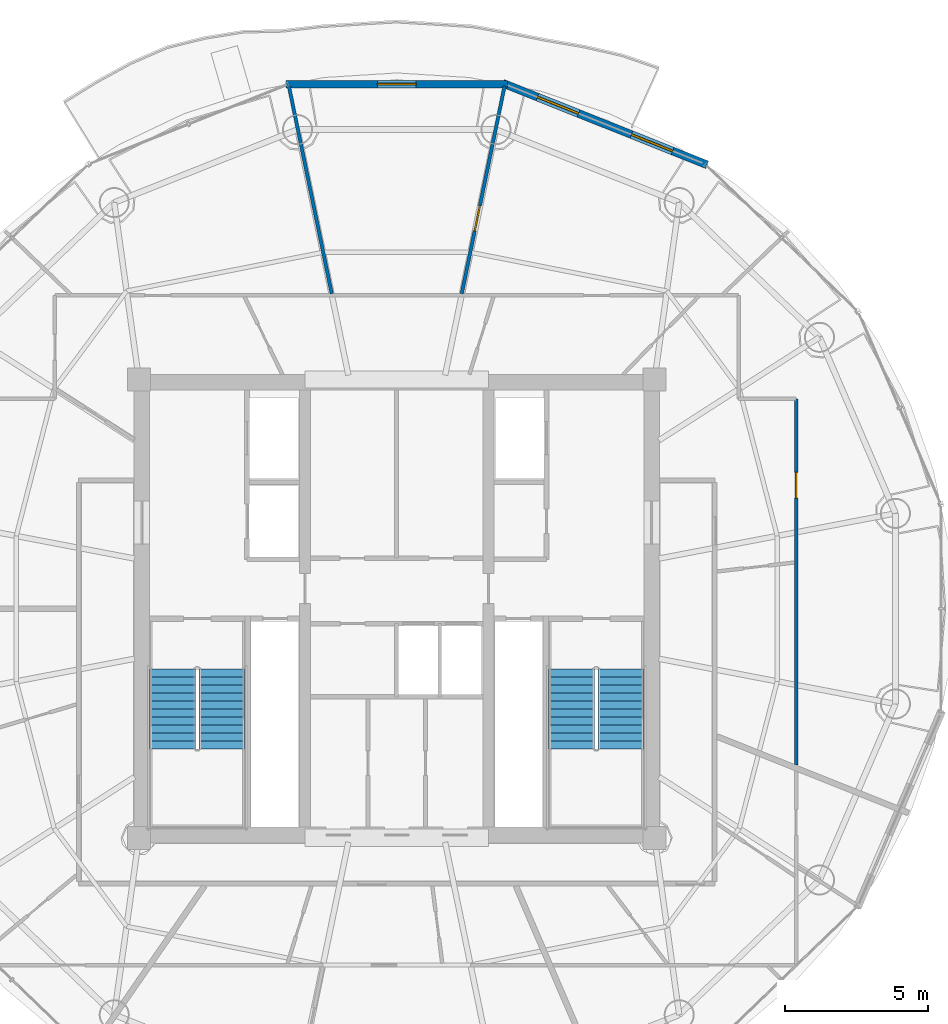
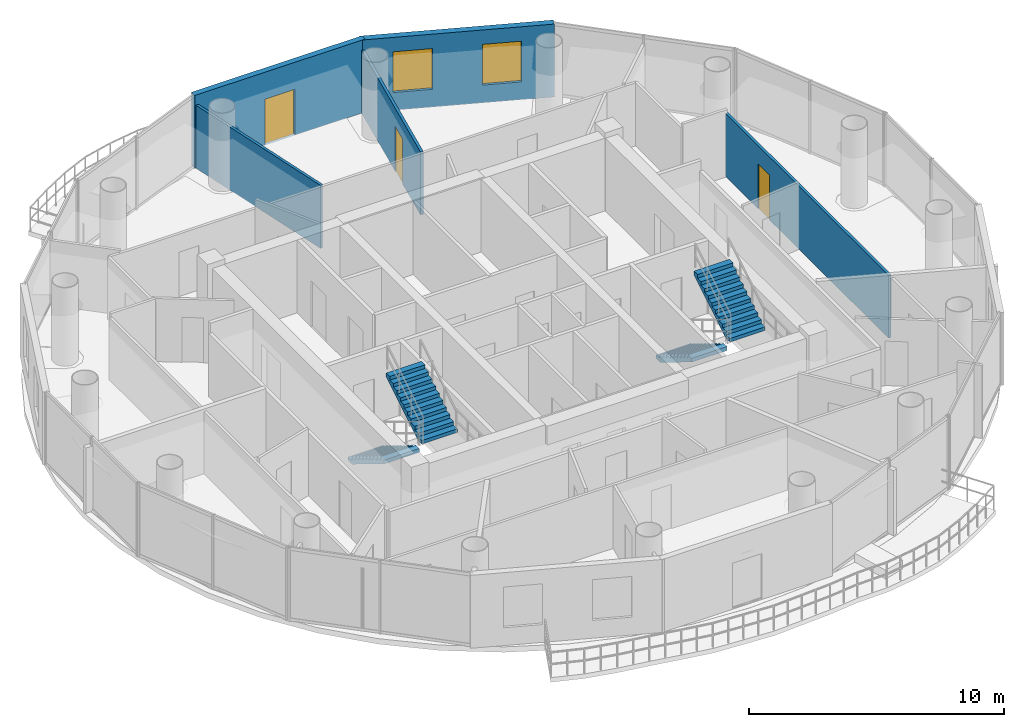
# One storey, part 21 of 24: 5 walls, 4 stair flights, 3 doors, 2 windows, 5 openings, 2 elements without a shape of their own.
"""IFC4 building model written with IfcOpenShell, lengths in metres."""

from ifc_helpers import new_model, si_unit, direction, frame, frame_2d, origin, place, context, subcontext, project, spatial, polyline, rectangle, outline, extrude, source, transform, mapped, material, layer, layer_set, type_object, element, fill, aggregate, save


model = new_model("IFC4")

# Units and contexts
model_context = context("Model", 3, precision=1e-05, world=origin(), true_north=direction((-0.2419218956, 0.970295726276)))
body_context = subcontext(model_context, "Body", "Model", "MODEL_VIEW")
ifc_project = project(units=[si_unit("LENGTHUNIT", "METRE"), si_unit("AREAUNIT", "SQUARE_METRE"), si_unit("VOLUMEUNIT", "CUBIC_METRE"), si_unit("PLANEANGLEUNIT", "RADIAN"), si_unit("MASSUNIT", "GRAM", prefix="KILO")], contexts=[model_context])

# Site, building, storey
site_placement = place(None, origin())
site = spatial("IfcSite", under=ifc_project, at=site_placement, CompositionType="ELEMENT")
building_placement = place(site_placement, origin())
building = spatial("IfcBuilding", under=site, at=building_placement, Name="Cobrevalo Terracotta Tower", CompositionType="ELEMENT")
storey_placement = place(building_placement, frame((0.0, 0.0, 274.449951171875)))
storey = spatial("IfcBuildingStorey", under=building, at=storey_placement, Name="L72", CompositionType="ELEMENT", Elevation=274.449951171875)

# Wall, openings, windows
ifc_material_1 = material(Name="Autoclaved aerated concrete block", Category="concrete")
ifc_layer_1 = layer(ifc_material_1, 0.280029296875)
ifc_layer_set_1 = layer_set([ifc_layer_1], Name="Autoclaved aerated concrete block")
wall_type_1 = type_object("IfcWallType", Name="Insulated tower spandrel & pier wall 280 mm with terracotta rainscreen", PredefinedType="SOLIDWALL", material=ifc_layer_set_1)
wall_1_placement = place(storey_placement, frame((48.835693359375, 42.2939453125, 0.0), z_axis=(0.0, 0.0, 1.0), x_axis=(-0.928724272392, 0.370771123296, 0.0)))
wall_1 = element("IfcWall", 1, at=wall_1_placement, inside=storey, type_object=wall_type_1, Name="L72 terracotta rainscreen pier wall S03", PredefinedType="SOLIDWALL", context=body_context, shape_type="SweptSolid", body=[
    extrude(rectangle(XDim=7.678466796875, YDim=0.280029296875, at=frame_2d((3.83935546875, 0.0))), origin(), (0.0, 0.0, 1.0), 3.489990234375),
])
opening_1_placement = place(wall_1_placement, frame((1.298095703125, 0.0, 0.85009765625)))
opening_1 = element("IfcOpeningElement", 2, at=opening_1_placement, cuts=wall_1, Name="Opening WN-12", PredefinedType="OPENING", context=body_context, shape_type="SweptSolid", body=[
    extrude(rectangle(XDim=1.550048828125, YDim=1.949951171875, at=frame_2d((0.77490234375, 0.97509765625))), frame((0.0, 0.14990234375, 0.0), z_axis=(0.0, -1.0, 0.0), x_axis=(1.0, 0.0, 0.0)), (0.0, 0.0, 1.0), 0.300048828125),
])
opening_2_placement = place(wall_1_placement, frame((4.830078125, 0.0, 0.85009765625)))
opening_2 = element("IfcOpeningElement", 3, at=opening_2_placement, cuts=wall_1, Name="Opening WN-12", PredefinedType="OPENING", context=body_context, shape_type="SweptSolid", body=[
    extrude(rectangle(XDim=1.550048828125, YDim=1.949951171875, at=frame_2d((0.77490234375, 0.97509765625))), frame((0.0, 0.14990234375, 0.0), z_axis=(0.0, -1.0, 0.0), x_axis=(1.0, 0.0, 0.0)), (0.0, 0.0, 1.0), 0.300048828125),
])
ifc_material_2 = material(Name="Solar-control low-E double glazing", Category="glass")
window_type = type_object("IfcWindowType", Name="Solar-control low-E aluminium window 1550x1950", PartitioningType="SINGLE_PANEL", PredefinedType="WINDOW", material=ifc_material_2)
shared_shape_1 = source(origin(), body_context, "Body", "SweptSolid", [
    extrude(rectangle(XDim=1.550048828125, YDim=1.949951171875, at=frame_2d((0.77490234375, 0.97509765625))), frame((0.0, 0.030029296875, 0.0), z_axis=(0.0, -1.0, 0.0), x_axis=(1.0, 0.0, 0.0)), (0.0, 0.0, 1.0), 0.06005859375),
])
window_1_placement = place(opening_1_placement, origin())
window_1 = element("IfcWindow", 4, at=window_1_placement, inside=storey, type_object=window_type, Name="L72 suite window S03A", OverallHeight=1.949951171875, OverallWidth=1.550048828125, PartitioningType="SINGLE_PANEL", PredefinedType="WINDOW", context=body_context, shape_type="MappedRepresentation", body=[
    mapped(shared_shape_1, transform((0.0, 0.0, 0.0), scale=1.0)),
])
fill(opening_1, window_1)
window_2_placement = place(opening_2_placement, origin())
window_2 = element("IfcWindow", 5, at=window_2_placement, inside=storey, type_object=window_type, Name="L72 suite window S03B", OverallHeight=1.949951171875, OverallWidth=1.550048828125, PartitioningType="SINGLE_PANEL", PredefinedType="WINDOW", context=body_context, shape_type="MappedRepresentation", body=[
    mapped(shared_shape_1, transform((0.0, 0.0, 0.0), scale=1.0)),
])
fill(opening_2, window_2)

# Wall, opening, door
ifc_layer_2 = layer(ifc_material_1, 0.260009765625)
ifc_layer_set_2 = layer_set([ifc_layer_2], Name="Autoclaved aerated concrete block")
wall_type_2 = type_object("IfcWallType", Name="Recessed balcony loggia insulated exterior wall 260 mm", PredefinedType="SOLIDWALL", material=ifc_layer_set_2)
wall_2_placement = place(storey_placement, frame((41.85888671875, 45.111328125, 0.0), z_axis=(0.0, 0.0, 1.0), x_axis=(-1.0, 0.0, 0.0)))
wall_2 = element("IfcWall", 6, at=wall_2_placement, inside=storey, type_object=wall_type_2, Name="L72 balcony loggia wall S04", PredefinedType="SOLIDWALL", context=body_context, shape_type="SweptSolid", body=[
    extrude(rectangle(XDim=7.7177734375, YDim=0.260009765625, at=frame_2d((3.85888671875, 0.0))), origin(), (0.0, 0.0, 1.0), 3.489990234375),
])
opening_3_placement = place(wall_2_placement, frame((3.183837890625, 0.0, 0.0)))
opening_3 = element("IfcOpeningElement", 7, at=opening_3_placement, cuts=wall_2, Name="Opening ED-05", PredefinedType="OPENING", context=body_context, shape_type="SweptSolid", body=[
    extrude(rectangle(XDim=1.35009765625, YDim=2.199951171875, at=frame_2d((0.675048828125, 1.10009765625))), frame((0.0, 0.14013671875, 0.0), z_axis=(0.0, -1.0, 0.0), x_axis=(1.0, 0.0, 0.0)), (0.0, 0.0, 1.0), 0.280029296875),
])
ifc_material_3 = material(Name="Anodized aluminium and laminated glass", Category="aluminium")
door_type_1 = type_object("IfcDoorType", Name="Suite balcony acoustic glazed terrace door 1350x2200", OperationType="NOTDEFINED", PredefinedType="DOOR", material=ifc_material_3)
shared_shape_2 = source(origin(), body_context, "Body", "SweptSolid", [
    extrude(rectangle(XDim=1.35009765625, YDim=2.199951171875, at=frame_2d((0.675048828125, 1.10009765625))), frame((0.0, 0.02490234375, 0.0), z_axis=(0.0, -1.0, 0.0), x_axis=(1.0, 0.0, 0.0)), (0.0, 0.0, 1.0), 0.050048828125),
])
door_1_placement = place(opening_3_placement, frame((1.35009765625, 0.0, 0.0), z_axis=(0.0, 0.0, 1.0), x_axis=(-1.0, 0.0, 0.0)))
door_1 = element("IfcDoor", 8, at=door_1_placement, inside=storey, type_object=door_type_1, Name="L72 glazed balcony terrace door 1", OperationType="SINGLE_SWING_LEFT", OverallHeight=2.199951171875, OverallWidth=1.35009765625, PredefinedType="DOOR", context=body_context, shape_type="MappedRepresentation", body=[
    mapped(shared_shape_2, transform((0.0, 0.0, 0.0), scale=1.0)),
])
fill(opening_3, door_1)

ifc_material_4 = material(Name="Gypsum board on steel stud", Category="steel")
ifc_layer_3 = layer(ifc_material_4, 0.1201171875)
ifc_layer_set_3 = layer_set([ifc_layer_3], Name="Gypsum board on steel stud")
wall_type_3 = type_object("IfcWallType", Name="Residential internal acoustic stud partition 120 mm", PredefinedType="PARTITIONING", material=ifc_layer_set_3)
wall_3_placement = place(storey_placement, frame((51.945068359375, 34.1201171875, 0.0), z_axis=(0.0, 0.0, 1.0), x_axis=(0.0, -1.0, 0.0)))
wall_3 = element("IfcWall", 9, at=wall_3_placement, inside=storey, type_object=wall_type_3, Name="L72 interior partition IW-L72-U1-RING6_0", PredefinedType="PARTITIONING", context=body_context, shape_type="SweptSolid", body=[
    extrude(rectangle(XDim=12.785888671875, YDim=0.1201171875, at=frame_2d((6.39306640625, 0.0))), origin(), (0.0, 0.0, 1.0), 3.01513671875),
])
opening_4_placement = place(wall_3_placement, frame((2.56201171875, 0.0, 0.0)))
opening_4 = element("IfcOpeningElement", 10, at=opening_4_placement, cuts=wall_3, Name="Opening ID-12", PredefinedType="OPENING", context=body_context, shape_type="SweptSolid", body=[
    extrude(rectangle(XDim=0.89990234375, YDim=2.14990234375, at=frame_2d((0.449951171875, 1.074951171875))), frame((0.0, 0.070068359375, 0.0), z_axis=(0.0, -1.0, 0.0), x_axis=(1.0, 0.0, 0.0)), (0.0, 0.0, 1.0), 0.14013671875),
])
ifc_material_5 = material(Name="Engineered timber", Category="wood")
door_type_2 = type_object("IfcDoorType", Name="Internal residence & suite timber door 900x2150", OperationType="NOTDEFINED", PredefinedType="DOOR", material=ifc_material_5)
shared_shape_3 = source(origin(), body_context, "Body", "SweptSolid", [
    extrude(rectangle(XDim=0.89990234375, YDim=2.14990234375, at=frame_2d((0.449951171875, 1.074951171875))), frame((0.0, 0.02490234375, 0.0), z_axis=(0.0, -1.0, 0.0), x_axis=(1.0, 0.0, 0.0)), (0.0, 0.0, 1.0), 0.050048828125),
])
door_2_placement = place(opening_4_placement, origin())
door_2 = element("IfcDoor", 11, at=door_2_placement, inside=storey, type_object=door_type_2, Name="Flat L72A Living and Dining Room internal door", OperationType="SINGLE_SWING_LEFT", OverallHeight=2.14990234375, OverallWidth=0.89990234375, PredefinedType="DOOR", context=body_context, shape_type="MappedRepresentation", body=[
    mapped(shared_shape_3, transform((0.0, 0.0, 0.0), scale=1.0)),
])
fill(opening_4, door_2)

wall_4_placement = place(storey_placement, frame((40.26904296875, 37.795654296875, 0.0), z_axis=(0.0, 0.0, 1.0), x_axis=(0.202101574245, 0.979364566281, 0.0)))
wall_4 = element("IfcWall", 12, at=wall_4_placement, inside=storey, type_object=wall_type_3, Name="L72 interior partition IW-L72-U1-ORAD2", PredefinedType="PARTITIONING", context=body_context, shape_type="SweptSolid", body=[
    extrude(rectangle(XDim=7.400146484375, YDim=0.1201171875, at=frame_2d((3.7001953125, 0.0))), origin(), (0.0, 0.0, 1.0), 3.01513671875),
])
opening_5_placement = place(wall_4_placement, frame((2.236083984375, 0.0, 0.0)))
opening_5 = element("IfcOpeningElement", 13, at=opening_5_placement, cuts=wall_4, Name="Opening ID-12", PredefinedType="OPENING", context=body_context, shape_type="SweptSolid", body=[
    extrude(rectangle(XDim=0.89990234375, YDim=2.14990234375, at=frame_2d((0.449951171875, 1.074951171875))), frame((0.0, 0.070068359375, 0.0), z_axis=(0.0, -1.0, 0.0), x_axis=(1.0, 0.0, 0.0)), (0.0, 0.0, 1.0), 0.14013671875),
])
door_3_placement = place(opening_5_placement, origin())
door_3 = element("IfcDoor", 14, at=door_3_placement, inside=storey, type_object=door_type_2, Name="Flat L72A Principal Guest Bedroom internal door", OperationType="SINGLE_SWING_LEFT", OverallHeight=2.14990234375, OverallWidth=0.89990234375, PredefinedType="DOOR", context=body_context, shape_type="MappedRepresentation", body=[
    mapped(shared_shape_3, transform((0.0, 0.0, 0.0), scale=1.0)),
])
fill(opening_5, door_3)

# Wall
wall_5_placement = place(storey_placement, frame((35.73095703125, 37.795654296875, 0.0), z_axis=(0.0, 0.0, 1.0), x_axis=(-0.202101574245, 0.979364566281, 0.0)))
element("IfcWall", 15, at=wall_5_placement, inside=storey, type_object=wall_type_3, Name="L72 interior partition IW-L72-U1-ORAD3M1", PredefinedType="PARTITIONING", context=body_context, shape_type="SweptSolid", body=[
    extrude(rectangle(XDim=7.400146484375, YDim=0.1201171875, at=frame_2d((3.7001953125, 0.0))), origin(), (0.0, 0.0, 1.0), 3.01513671875),
])

# Stair, stair flights
ifc_material_6 = material(Name="Concrete C50", Category="concrete")
stair_type = type_object("IfcStairType", Name="Core protected escape dogleg stair 1600", PredefinedType="HALF_TURN_STAIR", material=ifc_material_6)
stair_1_placement = place(storey_placement, origin())
stair_1 = element("IfcStair", 16, at=stair_1_placement, inside=storey, type_object=stair_type, Name="L72 Protected exit stair ST-1", PredefinedType="HALF_TURN_STAIR")
stair_flight_type = type_object("IfcStairFlightType", Name="Core protected escape dogleg stair 1600 flight", PredefinedType="STRAIGHT", material=ifc_material_6)
stair_flight_1_placement = place(storey_placement, frame((30.175048828125, 24.699951171875, 0.0), z_axis=(0.0, 0.0, 1.0), x_axis=(0.0, -1.0, 0.0)))
stair_flight_1 = element("IfcStairFlight", 17, at=stair_flight_1_placement, type_object=stair_flight_type, Name="ST-1 flight 1", NumberOfRisers=11, NumberOfTreads=10, PredefinedType="STRAIGHT", RiserHeight=0.170454545, TreadLength=0.28, context=body_context, shape_type="SweptSolid", body=[
    extrude(outline(polyline([(0.0, 0.0), (0.0, 0.17041015625), (0.280029296875, 0.17041015625), (0.280029296875, 0.3408203125), (0.56005859375, 0.3408203125), (0.56005859375, 0.511474609375), (0.840087890625, 0.511474609375), (0.840087890625, 0.681884765625), (1.1201171875, 0.681884765625), (1.1201171875, 0.852294921875), (1.39990234375, 0.852294921875), (1.39990234375, 1.022705078125), (1.679931640625, 1.022705078125), (1.679931640625, 1.193115234375), (1.9599609375, 1.193115234375), (1.9599609375, 1.363525390625), (2.239990234375, 1.363525390625), (2.239990234375, 1.5341796875), (2.52001953125, 1.5341796875), (2.52001953125, 1.70458984375), (2.800048828125, 1.70458984375), (2.800048828125, 1.875), (2.800048828125, 1.517333984375), (0.3076171875, 0.0), (0.0, 0.0)])), frame((0.0, 0.800048828125, 0.0), z_axis=(0.0, -1.0, 0.0), x_axis=(1.0, 0.0, 0.0)), (0.0, 0.0, 1.0), 1.60009765625),
])
stair_flight_2_placement = place(storey_placement, frame((31.89501953125, 21.89990234375, 1.875), z_axis=(0.0, 0.0, 1.0), x_axis=(0.0, 1.0, 0.0)))
stair_flight_2 = element("IfcStairFlight", 18, at=stair_flight_2_placement, type_object=stair_flight_type, Name="ST-1 flight 2", NumberOfRisers=11, NumberOfTreads=10, PredefinedType="STRAIGHT", RiserHeight=0.170454545, TreadLength=0.28, context=body_context, shape_type="SweptSolid", body=[
    extrude(outline(polyline([(0.0, 0.0), (0.0, 0.17041015625), (0.280029296875, 0.17041015625), (0.280029296875, 0.3408203125), (0.56005859375, 0.3408203125), (0.56005859375, 0.511474609375), (0.840087890625, 0.511474609375), (0.840087890625, 0.681884765625), (1.1201171875, 0.681884765625), (1.1201171875, 0.852294921875), (1.39990234375, 0.852294921875), (1.39990234375, 1.022705078125), (1.679931640625, 1.022705078125), (1.679931640625, 1.193115234375), (1.9599609375, 1.193115234375), (1.9599609375, 1.363525390625), (2.239990234375, 1.363525390625), (2.239990234375, 1.5341796875), (2.52001953125, 1.5341796875), (2.52001953125, 1.70458984375), (2.800048828125, 1.70458984375), (2.800048828125, 1.875), (2.800048828125, 1.517333984375), (0.3076171875, 0.0), (0.0, 0.0)])), frame((0.0, 0.800048828125, 0.0), z_axis=(0.0, -1.0, 0.0), x_axis=(1.0, 0.0, 0.0)), (0.0, 0.0, 1.0), 1.60009765625),
])
aggregate(stair_1, [stair_flight_1, stair_flight_2])

stair_2_placement = place(storey_placement, origin())
stair_2 = element("IfcStair", 19, at=stair_2_placement, inside=storey, type_object=stair_type, Name="L72 Protected exit stair ST-2", PredefinedType="HALF_TURN_STAIR")
stair_flight_3_placement = place(storey_placement, frame((44.10498046875, 24.699951171875, 0.0), z_axis=(0.0, 0.0, 1.0), x_axis=(0.0, -1.0, 0.0)))
stair_flight_3 = element("IfcStairFlight", 20, at=stair_flight_3_placement, type_object=stair_flight_type, Name="ST-2 flight 1", NumberOfRisers=11, NumberOfTreads=10, PredefinedType="STRAIGHT", RiserHeight=0.170454545, TreadLength=0.28, context=body_context, shape_type="SweptSolid", body=[
    extrude(outline(polyline([(0.0, 0.0), (0.0, 0.17041015625), (0.280029296875, 0.17041015625), (0.280029296875, 0.3408203125), (0.56005859375, 0.3408203125), (0.56005859375, 0.511474609375), (0.840087890625, 0.511474609375), (0.840087890625, 0.681884765625), (1.1201171875, 0.681884765625), (1.1201171875, 0.852294921875), (1.39990234375, 0.852294921875), (1.39990234375, 1.022705078125), (1.679931640625, 1.022705078125), (1.679931640625, 1.193115234375), (1.9599609375, 1.193115234375), (1.9599609375, 1.363525390625), (2.239990234375, 1.363525390625), (2.239990234375, 1.5341796875), (2.52001953125, 1.5341796875), (2.52001953125, 1.70458984375), (2.800048828125, 1.70458984375), (2.800048828125, 1.875), (2.800048828125, 1.517333984375), (0.3076171875, 0.0), (0.0, 0.0)])), frame((0.0, 0.800048828125, 0.0), z_axis=(0.0, -1.0, 0.0), x_axis=(1.0, 0.0, 0.0)), (0.0, 0.0, 1.0), 1.60009765625),
])
stair_flight_4_placement = place(storey_placement, frame((45.824951171875, 21.89990234375, 1.875), z_axis=(0.0, 0.0, 1.0), x_axis=(0.0, 1.0, 0.0)))
stair_flight_4 = element("IfcStairFlight", 21, at=stair_flight_4_placement, type_object=stair_flight_type, Name="ST-2 flight 2", NumberOfRisers=11, NumberOfTreads=10, PredefinedType="STRAIGHT", RiserHeight=0.170454545, TreadLength=0.28, context=body_context, shape_type="SweptSolid", body=[
    extrude(outline(polyline([(0.0, 0.0), (0.0, 0.17041015625), (0.280029296875, 0.17041015625), (0.280029296875, 0.3408203125), (0.56005859375, 0.3408203125), (0.56005859375, 0.511474609375), (0.840087890625, 0.511474609375), (0.840087890625, 0.681884765625), (1.1201171875, 0.681884765625), (1.1201171875, 0.852294921875), (1.39990234375, 0.852294921875), (1.39990234375, 1.022705078125), (1.679931640625, 1.022705078125), (1.679931640625, 1.193115234375), (1.9599609375, 1.193115234375), (1.9599609375, 1.363525390625), (2.239990234375, 1.363525390625), (2.239990234375, 1.5341796875), (2.52001953125, 1.5341796875), (2.52001953125, 1.70458984375), (2.800048828125, 1.70458984375), (2.800048828125, 1.875), (2.800048828125, 1.517333984375), (0.3076171875, 0.0), (0.0, 0.0)])), frame((0.0, 0.800048828125, 0.0), z_axis=(0.0, -1.0, 0.0), x_axis=(1.0, 0.0, 0.0)), (0.0, 0.0, 1.0), 1.60009765625),
])
aggregate(stair_2, [stair_flight_3, stair_flight_4])

save(model, "model.ifc")
